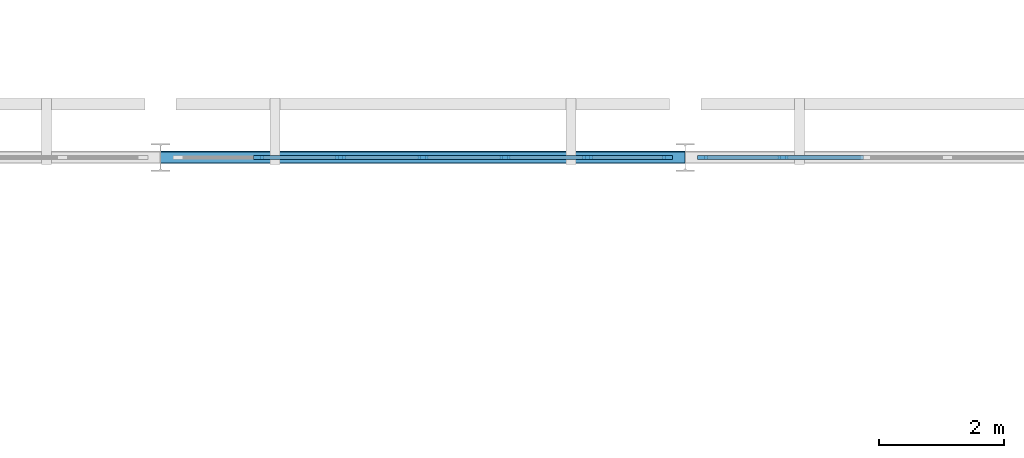
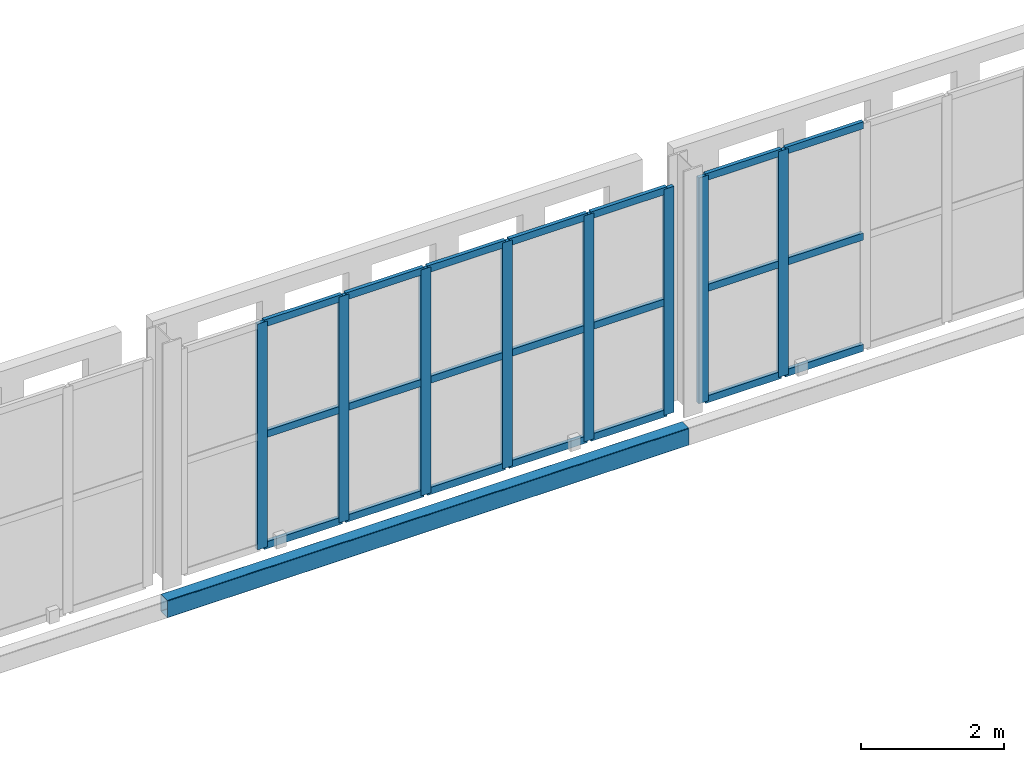
# One storey, part 60 of 140: 29 members, 1 beam, 2 elements without a shape of their own.
"""IFC4 building model written with IfcOpenShell, lengths in metres."""

from ifc_helpers import new_model, si_unit, direction, frame, origin, origin_2d, place, context, subcontext, project, spatial, rectangle, hollow_rectangle, extrude, material, layer, layer_set, material_profile, profile_set, type_object, element, aggregate, save


model = new_model("IFC4")

# Units and contexts
model_context = context("Model", 3, precision=1e-05, world=origin(), true_north=direction((0.0, 1.0)))
body_context = subcontext(model_context, "Body", "Model", "MODEL_VIEW")
ifc_project = project(units=[si_unit("LENGTHUNIT", "METRE"), si_unit("AREAUNIT", "SQUARE_METRE"), si_unit("VOLUMEUNIT", "CUBIC_METRE"), si_unit("PLANEANGLEUNIT", "RADIAN"), si_unit("MASSUNIT", "GRAM", prefix="KILO")], contexts=[model_context])

# Site, building, storey
site_placement = place(None, origin())
site = spatial("IfcSite", under=ifc_project, at=site_placement, CompositionType="ELEMENT")
building_placement = place(site_placement, origin())
building = spatial("IfcBuilding", under=site, at=building_placement, Name="Varnapada Polytechnic", CompositionType="ELEMENT")
storey_placement = place(building_placement, frame((0.0, 0.0, 13.800048828125)))
storey = spatial("IfcBuildingStorey", under=building, at=storey_placement, Name="L03", CompositionType="ELEMENT", Elevation=13.800048828125)

# Curtain wall, members
ifc_material_1 = material(Name="Double low-E laminated glass", Category="glass")
ifc_layer = layer(ifc_material_1, 0.159912109375)
ifc_layer_set = layer_set([ifc_layer], Name="Double low-E laminated glass")
curtain_wall_type = type_object("IfcCurtainWallType", Name="Curtain Wall CW-02", PredefinedType="NOTDEFINED", material=ifc_layer_set)
curtain_wall_1_placement = place(storey_placement, origin())
curtain_wall_1 = element("IfcCurtainWall", 1, at=curtain_wall_1_placement, inside=storey, type_object=curtain_wall_type, Name="L03 high-bay workshop north curtain wall 11", PredefinedType="NOTDEFINED")
ifc_material_2 = material(Name="Anodised aluminium", Category="aluminium")
ifc_material_profile_1 = material_profile(ifc_material_2, rectangle(XDim=0.06005859375, YDim=0.159912109375, at=origin_2d()), Name="ALU M60x160")
ifc_profile_set_1 = profile_set([ifc_material_profile_1], Name="Anodised aluminium")
member_type_1 = type_object("IfcMemberType", Name="Mullion M-01", PredefinedType="MULLION", material=ifc_profile_set_1)
member_1_placement = place(storey_placement, frame((85.566650390625, 126.0, 0.0), z_axis=(0.0, 0.0, 1.0), x_axis=(0.0, 1.0, 0.0)))
member_1 = element("IfcMember", 2, at=member_1_placement, type_object=member_type_1, Name="CW-02 mullion 2", PredefinedType="MULLION", context=body_context, shape_type="SweptSolid", body=[
    extrude(rectangle(XDim=0.06005859375, YDim=0.159912109375, at=origin_2d()), origin(), (0.0, 0.0, 1.0), 3.849853515625),
])
member_2_placement = place(storey_placement, frame((86.88330078125, 126.0, 0.0), z_axis=(0.0, 0.0, 1.0), x_axis=(0.0, 1.0, 0.0)))
member_2 = element("IfcMember", 3, at=member_2_placement, type_object=member_type_1, Name="CW-02 mullion 3", PredefinedType="MULLION", context=body_context, shape_type="SweptSolid", body=[
    extrude(rectangle(XDim=0.06005859375, YDim=0.159912109375, at=origin_2d()), origin(), (0.0, 0.0, 1.0), 3.849853515625),
])
member_3_placement = place(storey_placement, frame((88.199951171875, 126.0, 0.0), z_axis=(0.0, 0.0, 1.0), x_axis=(0.0, 1.0, 0.0)))
member_3 = element("IfcMember", 4, at=member_3_placement, type_object=member_type_1, Name="CW-02 mullion 4", PredefinedType="MULLION", context=body_context, shape_type="SweptSolid", body=[
    extrude(rectangle(XDim=0.06005859375, YDim=0.159912109375, at=origin_2d()), origin(), (0.0, 0.0, 1.0), 3.849853515625),
])
member_4_placement = place(storey_placement, frame((89.5166015625, 126.0, 0.0), z_axis=(0.0, 0.0, 1.0), x_axis=(0.0, 1.0, 0.0)))
member_4 = element("IfcMember", 5, at=member_4_placement, type_object=member_type_1, Name="CW-02 mullion 5", PredefinedType="MULLION", context=body_context, shape_type="SweptSolid", body=[
    extrude(rectangle(XDim=0.06005859375, YDim=0.159912109375, at=origin_2d()), origin(), (0.0, 0.0, 1.0), 3.849853515625),
])
member_5_placement = place(storey_placement, frame((90.833251953125, 126.0, 0.0), z_axis=(0.0, 0.0, 1.0), x_axis=(0.0, 1.0, 0.0)))
member_5 = element("IfcMember", 6, at=member_5_placement, type_object=member_type_1, Name="CW-02 mullion 6", PredefinedType="MULLION", context=body_context, shape_type="SweptSolid", body=[
    extrude(rectangle(XDim=0.06005859375, YDim=0.159912109375, at=origin_2d()), origin(), (0.0, 0.0, 1.0), 3.849853515625),
])
member_6_placement = place(storey_placement, frame((92.1201171875, 126.0, 0.0), z_axis=(0.0, 0.0, 1.0), x_axis=(0.0, 1.0, 0.0)))
member_6 = element("IfcMember", 7, at=member_6_placement, type_object=member_type_1, Name="CW-02 mullion 7", PredefinedType="MULLION", context=body_context, shape_type="SweptSolid", body=[
    extrude(rectangle(XDim=0.06005859375, YDim=0.159912109375, at=origin_2d()), origin(), (0.0, 0.0, 1.0), 3.849853515625),
])

curtain_wall_2_placement = place(storey_placement, origin())
curtain_wall_2 = element("IfcCurtainWall", 8, at=curtain_wall_2_placement, inside=storey, type_object=curtain_wall_type, Name="L03 high-bay workshop north curtain wall 12", PredefinedType="NOTDEFINED")
member_7_placement = place(storey_placement, frame((92.679931640625, 126.0, 0.0), z_axis=(0.0, 0.0, 1.0), x_axis=(0.0, 1.0, 0.0)))
member_7 = element("IfcMember", 9, at=member_7_placement, type_object=member_type_1, Name="CW-02 mullion 1", PredefinedType="MULLION", context=body_context, shape_type="SweptSolid", body=[
    extrude(rectangle(XDim=0.06005859375, YDim=0.159912109375, at=origin_2d()), origin(), (0.0, 0.0, 1.0), 3.849853515625),
])
member_8_placement = place(storey_placement, frame((93.966552734375, 126.0, 0.0), z_axis=(0.0, 0.0, 1.0), x_axis=(0.0, 1.0, 0.0)))
member_8 = element("IfcMember", 10, at=member_8_placement, type_object=member_type_1, Name="CW-02 mullion 2", PredefinedType="MULLION", context=body_context, shape_type="SweptSolid", body=[
    extrude(rectangle(XDim=0.06005859375, YDim=0.159912109375, at=origin_2d()), origin(), (0.0, 0.0, 1.0), 3.849853515625),
])

# Member
ifc_material_profile_2 = material_profile(ifc_material_2, rectangle(XDim=0.06005859375, YDim=0.1201171875, at=origin_2d()), Name="ALU T60x120")
ifc_profile_set_2 = profile_set([ifc_material_profile_2], Name="Anodised aluminium")
member_type_2 = type_object("IfcMemberType", Name="Transom T-01", PredefinedType="USERDEFINED", material=ifc_profile_set_2)
member_9_placement = place(storey_placement, frame((85.5966796875, 126.0, 0.030029296875), z_axis=(1.0, 0.0, 0.0), x_axis=(0.0, 1.0, 0.0)))
member_9 = element("IfcMember", 11, at=member_9_placement, type_object=member_type_2, Name="CW-02 transom 2.1", ObjectType="TRANSOM", PredefinedType="USERDEFINED", context=body_context, shape_type="SweptSolid", body=[
    extrude(rectangle(XDim=0.06005859375, YDim=0.1201171875, at=origin_2d()), origin(), (0.0, 0.0, 1.0), 1.256591796875),
])

member_10_placement = place(storey_placement, frame((85.5966796875, 126.0, 1.925048828125), z_axis=(1.0, 0.0, 0.0), x_axis=(0.0, 1.0, 0.0)))
member_10 = element("IfcMember", 12, at=member_10_placement, type_object=member_type_2, Name="CW-02 transom 2.2", ObjectType="TRANSOM", PredefinedType="USERDEFINED", context=body_context, shape_type="SweptSolid", body=[
    extrude(rectangle(XDim=0.06005859375, YDim=0.1201171875, at=origin_2d()), origin(), (0.0, 0.0, 1.0), 1.256591796875),
])

member_11_placement = place(storey_placement, frame((85.5966796875, 126.0, 3.820068359375), z_axis=(1.0, 0.0, 0.0), x_axis=(0.0, 1.0, 0.0)))
member_11 = element("IfcMember", 13, at=member_11_placement, type_object=member_type_2, Name="CW-02 transom 2.3", ObjectType="TRANSOM", PredefinedType="USERDEFINED", context=body_context, shape_type="SweptSolid", body=[
    extrude(rectangle(XDim=0.06005859375, YDim=0.1201171875, at=origin_2d()), origin(), (0.0, 0.0, 1.0), 1.256591796875),
])

member_12_placement = place(storey_placement, frame((86.913330078125, 126.0, 0.030029296875), z_axis=(1.0, 0.0, 0.0), x_axis=(0.0, 1.0, 0.0)))
member_12 = element("IfcMember", 14, at=member_12_placement, type_object=member_type_2, Name="CW-02 transom 3.1", ObjectType="TRANSOM", PredefinedType="USERDEFINED", context=body_context, shape_type="SweptSolid", body=[
    extrude(rectangle(XDim=0.06005859375, YDim=0.1201171875, at=origin_2d()), origin(), (0.0, 0.0, 1.0), 1.256591796875),
])

member_13_placement = place(storey_placement, frame((86.913330078125, 126.0, 1.925048828125), z_axis=(1.0, 0.0, 0.0), x_axis=(0.0, 1.0, 0.0)))
member_13 = element("IfcMember", 15, at=member_13_placement, type_object=member_type_2, Name="CW-02 transom 3.2", ObjectType="TRANSOM", PredefinedType="USERDEFINED", context=body_context, shape_type="SweptSolid", body=[
    extrude(rectangle(XDim=0.06005859375, YDim=0.1201171875, at=origin_2d()), origin(), (0.0, 0.0, 1.0), 1.256591796875),
])

member_14_placement = place(storey_placement, frame((86.913330078125, 126.0, 3.820068359375), z_axis=(1.0, 0.0, 0.0), x_axis=(0.0, 1.0, 0.0)))
member_14 = element("IfcMember", 16, at=member_14_placement, type_object=member_type_2, Name="CW-02 transom 3.3", ObjectType="TRANSOM", PredefinedType="USERDEFINED", context=body_context, shape_type="SweptSolid", body=[
    extrude(rectangle(XDim=0.06005859375, YDim=0.1201171875, at=origin_2d()), origin(), (0.0, 0.0, 1.0), 1.256591796875),
])

member_15_placement = place(storey_placement, frame((88.22998046875, 126.0, 0.030029296875), z_axis=(1.0, 0.0, 0.0), x_axis=(0.0, 1.0, 0.0)))
member_15 = element("IfcMember", 17, at=member_15_placement, type_object=member_type_2, Name="CW-02 transom 4.1", ObjectType="TRANSOM", PredefinedType="USERDEFINED", context=body_context, shape_type="SweptSolid", body=[
    extrude(rectangle(XDim=0.06005859375, YDim=0.1201171875, at=origin_2d()), origin(), (0.0, 0.0, 1.0), 1.256591796875),
])

member_16_placement = place(storey_placement, frame((88.22998046875, 126.0, 1.925048828125), z_axis=(1.0, 0.0, 0.0), x_axis=(0.0, 1.0, 0.0)))
member_16 = element("IfcMember", 18, at=member_16_placement, type_object=member_type_2, Name="CW-02 transom 4.2", ObjectType="TRANSOM", PredefinedType="USERDEFINED", context=body_context, shape_type="SweptSolid", body=[
    extrude(rectangle(XDim=0.06005859375, YDim=0.1201171875, at=origin_2d()), origin(), (0.0, 0.0, 1.0), 1.256591796875),
])

member_17_placement = place(storey_placement, frame((88.22998046875, 126.0, 3.820068359375), z_axis=(1.0, 0.0, 0.0), x_axis=(0.0, 1.0, 0.0)))
member_17 = element("IfcMember", 19, at=member_17_placement, type_object=member_type_2, Name="CW-02 transom 4.3", ObjectType="TRANSOM", PredefinedType="USERDEFINED", context=body_context, shape_type="SweptSolid", body=[
    extrude(rectangle(XDim=0.06005859375, YDim=0.1201171875, at=origin_2d()), origin(), (0.0, 0.0, 1.0), 1.256591796875),
])

member_18_placement = place(storey_placement, frame((89.546630859375, 126.0, 0.030029296875), z_axis=(1.0, 0.0, 0.0), x_axis=(0.0, 1.0, 0.0)))
member_18 = element("IfcMember", 20, at=member_18_placement, type_object=member_type_2, Name="CW-02 transom 5.1", ObjectType="TRANSOM", PredefinedType="USERDEFINED", context=body_context, shape_type="SweptSolid", body=[
    extrude(rectangle(XDim=0.06005859375, YDim=0.1201171875, at=origin_2d()), origin(), (0.0, 0.0, 1.0), 1.256591796875),
])

member_19_placement = place(storey_placement, frame((89.546630859375, 126.0, 1.925048828125), z_axis=(1.0, 0.0, 0.0), x_axis=(0.0, 1.0, 0.0)))
member_19 = element("IfcMember", 21, at=member_19_placement, type_object=member_type_2, Name="CW-02 transom 5.2", ObjectType="TRANSOM", PredefinedType="USERDEFINED", context=body_context, shape_type="SweptSolid", body=[
    extrude(rectangle(XDim=0.06005859375, YDim=0.1201171875, at=origin_2d()), origin(), (0.0, 0.0, 1.0), 1.256591796875),
])

member_20_placement = place(storey_placement, frame((89.546630859375, 126.0, 3.820068359375), z_axis=(1.0, 0.0, 0.0), x_axis=(0.0, 1.0, 0.0)))
member_20 = element("IfcMember", 22, at=member_20_placement, type_object=member_type_2, Name="CW-02 transom 5.3", ObjectType="TRANSOM", PredefinedType="USERDEFINED", context=body_context, shape_type="SweptSolid", body=[
    extrude(rectangle(XDim=0.06005859375, YDim=0.1201171875, at=origin_2d()), origin(), (0.0, 0.0, 1.0), 1.256591796875),
])

member_21_placement = place(storey_placement, frame((90.86328125, 126.0, 0.030029296875), z_axis=(1.0, 0.0, 0.0), x_axis=(0.0, 1.0, 0.0)))
member_21 = element("IfcMember", 23, at=member_21_placement, type_object=member_type_2, Name="CW-02 transom 6.1", ObjectType="TRANSOM", PredefinedType="USERDEFINED", context=body_context, shape_type="SweptSolid", body=[
    extrude(rectangle(XDim=0.06005859375, YDim=0.1201171875, at=origin_2d()), origin(), (0.0, 0.0, 1.0), 1.226806640625),
])

member_22_placement = place(storey_placement, frame((90.86328125, 126.0, 1.925048828125), z_axis=(1.0, 0.0, 0.0), x_axis=(0.0, 1.0, 0.0)))
member_22 = element("IfcMember", 24, at=member_22_placement, type_object=member_type_2, Name="CW-02 transom 6.2", ObjectType="TRANSOM", PredefinedType="USERDEFINED", context=body_context, shape_type="SweptSolid", body=[
    extrude(rectangle(XDim=0.06005859375, YDim=0.1201171875, at=origin_2d()), origin(), (0.0, 0.0, 1.0), 1.226806640625),
])

member_23_placement = place(storey_placement, frame((90.86328125, 126.0, 3.820068359375), z_axis=(1.0, 0.0, 0.0), x_axis=(0.0, 1.0, 0.0)))
member_23 = element("IfcMember", 25, at=member_23_placement, type_object=member_type_2, Name="CW-02 transom 6.3", ObjectType="TRANSOM", PredefinedType="USERDEFINED", context=body_context, shape_type="SweptSolid", body=[
    extrude(rectangle(XDim=0.06005859375, YDim=0.1201171875, at=origin_2d()), origin(), (0.0, 0.0, 1.0), 1.226806640625),
])

aggregate(curtain_wall_1, [member_1, member_2, member_3, member_4, member_5, member_6, member_9, member_10, member_11, member_12, member_13, member_14, member_15, member_16, member_17, member_18, member_19, member_20, member_21, member_22, member_23])

member_24_placement = place(storey_placement, frame((92.7099609375, 126.0, 0.030029296875), z_axis=(1.0, 0.0, 0.0), x_axis=(0.0, 1.0, 0.0)))
member_24 = element("IfcMember", 26, at=member_24_placement, type_object=member_type_2, Name="CW-02 transom 1.1", ObjectType="TRANSOM", PredefinedType="USERDEFINED", context=body_context, shape_type="SweptSolid", body=[
    extrude(rectangle(XDim=0.06005859375, YDim=0.1201171875, at=origin_2d()), origin(), (0.0, 0.0, 1.0), 1.226806640625),
])

member_25_placement = place(storey_placement, frame((92.7099609375, 126.0, 1.925048828125), z_axis=(1.0, 0.0, 0.0), x_axis=(0.0, 1.0, 0.0)))
member_25 = element("IfcMember", 27, at=member_25_placement, type_object=member_type_2, Name="CW-02 transom 1.2", ObjectType="TRANSOM", PredefinedType="USERDEFINED", context=body_context, shape_type="SweptSolid", body=[
    extrude(rectangle(XDim=0.06005859375, YDim=0.1201171875, at=origin_2d()), origin(), (0.0, 0.0, 1.0), 1.226806640625),
])

member_26_placement = place(storey_placement, frame((92.7099609375, 126.0, 3.820068359375), z_axis=(1.0, 0.0, 0.0), x_axis=(0.0, 1.0, 0.0)))
member_26 = element("IfcMember", 28, at=member_26_placement, type_object=member_type_2, Name="CW-02 transom 1.3", ObjectType="TRANSOM", PredefinedType="USERDEFINED", context=body_context, shape_type="SweptSolid", body=[
    extrude(rectangle(XDim=0.06005859375, YDim=0.1201171875, at=origin_2d()), origin(), (0.0, 0.0, 1.0), 1.226806640625),
])

member_27_placement = place(storey_placement, frame((93.99658203125, 126.0, 0.030029296875), z_axis=(1.0, 0.0, 0.0), x_axis=(0.0, 1.0, 0.0)))
member_27 = element("IfcMember", 29, at=member_27_placement, type_object=member_type_2, Name="CW-02 transom 2.1", ObjectType="TRANSOM", PredefinedType="USERDEFINED", context=body_context, shape_type="SweptSolid", body=[
    extrude(rectangle(XDim=0.06005859375, YDim=0.1201171875, at=origin_2d()), origin(), (0.0, 0.0, 1.0), 1.2568359375),
])

member_28_placement = place(storey_placement, frame((93.99658203125, 126.0, 1.925048828125), z_axis=(1.0, 0.0, 0.0), x_axis=(0.0, 1.0, 0.0)))
member_28 = element("IfcMember", 30, at=member_28_placement, type_object=member_type_2, Name="CW-02 transom 2.2", ObjectType="TRANSOM", PredefinedType="USERDEFINED", context=body_context, shape_type="SweptSolid", body=[
    extrude(rectangle(XDim=0.06005859375, YDim=0.1201171875, at=origin_2d()), origin(), (0.0, 0.0, 1.0), 1.2568359375),
])

member_29_placement = place(storey_placement, frame((93.99658203125, 126.0, 3.820068359375), z_axis=(1.0, 0.0, 0.0), x_axis=(0.0, 1.0, 0.0)))
member_29 = element("IfcMember", 31, at=member_29_placement, type_object=member_type_2, Name="CW-02 transom 2.3", ObjectType="TRANSOM", PredefinedType="USERDEFINED", context=body_context, shape_type="SweptSolid", body=[
    extrude(rectangle(XDim=0.06005859375, YDim=0.1201171875, at=origin_2d()), origin(), (0.0, 0.0, 1.0), 1.2568359375),
])

aggregate(curtain_wall_2, [member_7, member_8, member_24, member_25, member_26, member_27, member_28, member_29])

# Beam
ifc_material_3 = material(Name="Steel S355", Category="steel")
ifc_material_profile_3 = material_profile(ifc_material_3, hollow_rectangle(XDim=0.199951171875, YDim=0.300048828125, WallThickness=0.010009765625, InnerFilletRadius=0.010009765625, OuterFilletRadius=0.02001953125, at=origin_2d()), Name="RHS 300x200x10")
ifc_profile_set_3 = profile_set([ifc_material_profile_3], Name="Steel S355")
beam_type = type_object("IfcBeamType", Name="Workshop steel spandrel tie SP-03 (RHS 300x200x10)", PredefinedType="SPANDREL", material=ifc_profile_set_3)
beam_placement = place(storey_placement, frame((84.0, 126.0, -0.449951171875), z_axis=(1.0, 0.0, 0.0), x_axis=(0.0, 1.0, 0.0)))
element("IfcBeam", 32, at=beam_placement, inside=storey, type_object=beam_type, Name="L03 workshop clerestory tie X11-12 Y16", PredefinedType="SPANDREL", context=body_context, shape_type="SweptSolid", body=[
    extrude(hollow_rectangle(XDim=0.199951171875, YDim=0.300048828125, WallThickness=0.010009765625, InnerFilletRadius=0.010009765625, OuterFilletRadius=0.02001953125, at=origin_2d()), origin(), (0.0, 0.0, 1.0), 8.39990234375),
])

save(model, "model.ifc")
